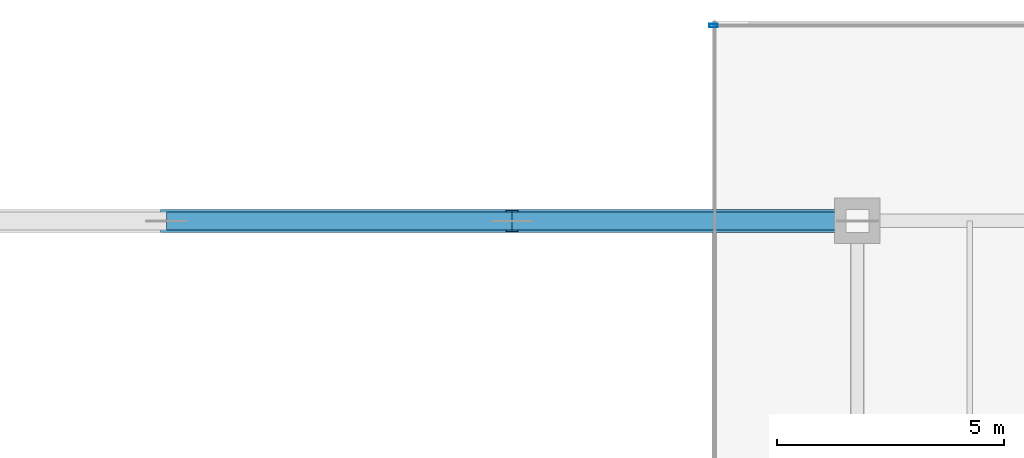
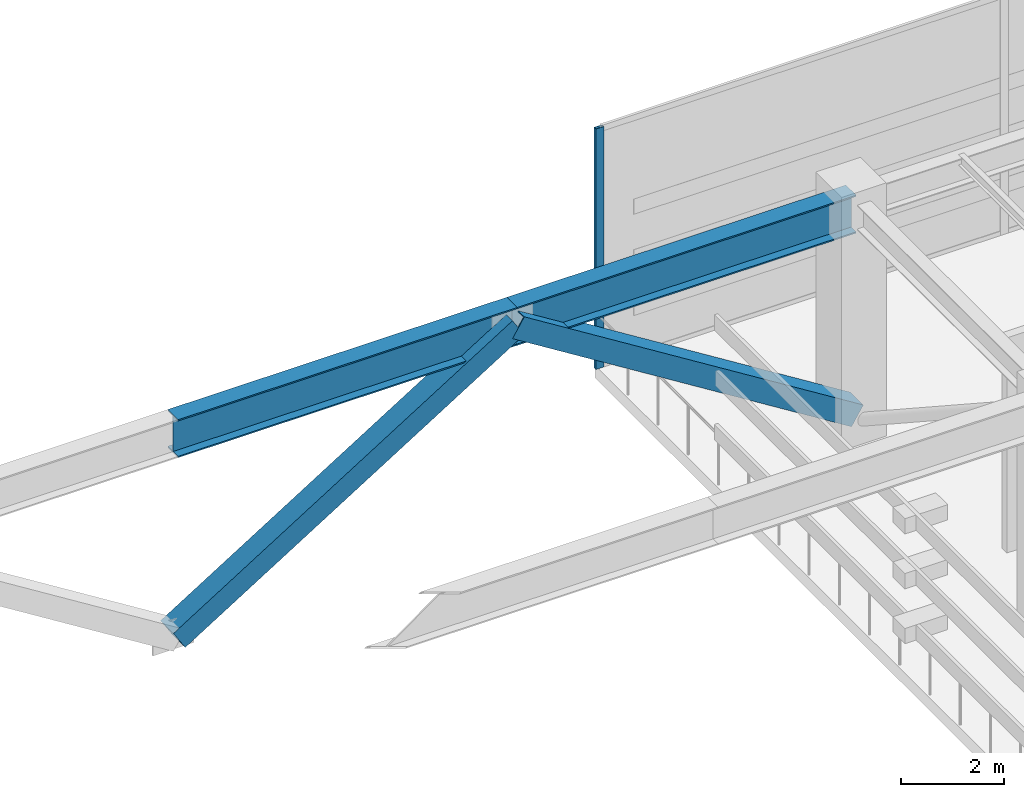
# One storey, part 16 of 30: 3 members, 2 beams, 1 element without a shape of its own.
"""IFC4 building model written with IfcOpenShell, lengths in metres."""

from ifc_helpers import new_model, si_unit, direction, frame, origin, origin_2d, place, context, subcontext, project, spatial, hollow_rectangle, i_section, extrude, source, transform, mapped, material, layer, layer_set, material_profile, profile_set, type_object, type_shapes, element, aggregate, save


model = new_model("IFC4")

# Units and contexts
model_context = context("Model", 3, precision=1e-05, world=origin(), true_north=direction((0.0, 1.0)))
body_context = subcontext(model_context, "Body", "Model", "MODEL_VIEW")
ifc_project = project(units=[si_unit("LENGTHUNIT", "METRE"), si_unit("AREAUNIT", "SQUARE_METRE"), si_unit("VOLUMEUNIT", "CUBIC_METRE"), si_unit("PLANEANGLEUNIT", "RADIAN"), si_unit("MASSUNIT", "GRAM", prefix="KILO")], contexts=[model_context])

# Site, building, storey
site_placement = place(None, origin())
site = spatial("IfcSite", under=ifc_project, at=site_placement, CompositionType="ELEMENT")
building_placement = place(site_placement, origin())
building = spatial("IfcBuilding", under=site, at=building_placement, Name="Haelvirn Gate Laboratories", CompositionType="ELEMENT")
storey_placement = place(building_placement, frame((0.0, 0.0, 291.60009765625)))
storey = spatial("IfcBuildingStorey", under=building, at=storey_placement, Name="L70", CompositionType="ELEMENT", Elevation=291.60009765625)

# Beams
ifc_material_1 = material(Name="Steel SM420", Category="steel")
ifc_material_profile_1 = material_profile(ifc_material_1, i_section(OverallWidth=0.39990234375, OverallDepth=0.89990234375, WebThickness=0.01904296875, FlangeThickness=0.031982421875, at=origin_2d()), Name="H-900x400x19x32")
ifc_profile_set_1 = profile_set([ifc_material_profile_1], Name="Steel SM420")
beam_type = type_object("IfcBeamType", Name="BM-TG-900", PredefinedType="BEAM", material=ifc_profile_set_1)
shared_shape_1 = source(origin(), body_context, "Body", "SweptSolid", [
    extrude(i_section(OverallWidth=0.39990234375, OverallDepth=0.89990234375, WebThickness=0.01904296875, FlangeThickness=0.031982421875, at=origin_2d()), origin(), (0.0, 0.0, 1.0), 7.60009765625),
])
type_shapes(beam_type, [shared_shape_1])
for number, where, z_axis, x_axis, name in (
    (1, (37.39990234375, 41.60009765625, 5.25), (1.0, 0.0, 0.0), (0.0, 1.0, 0.0), "L71 Arch Bridge Bottom Tie Chord Y41.6-3"),
    (2, (45.0, 41.60009765625, 5.25), (1.0, 0.0, 0.0), (0.0, 1.0, 0.0), "L71 Arch Bridge Bottom Tie Chord Y41.6-4"),
):
    element("IfcBeam", number, at=place(storey_placement, frame(where, z_axis=z_axis, x_axis=x_axis)), inside=storey, type_object=beam_type, Name=name, PredefinedType="BEAM", context=body_context, shape_type="MappedRepresentation", body=[
        mapped(shared_shape_1, transform((0.0, 0.0, 0.0), scale=1.0)),
    ])

# Members
ifc_material_profile_2 = material_profile(ifc_material_1, hollow_rectangle(XDim=0.5, YDim=0.5, WallThickness=0.02197265625, at=origin_2d()), Name="BOX-500x500x22")
ifc_profile_set_2 = profile_set([ifc_material_profile_2], Name="Steel SM420")
member_type_1 = type_object("IfcMemberType", Name="MEM-ARCH-WEB", PredefinedType="BRACE", material=ifc_profile_set_2)
shared_shape_2 = source(origin(), body_context, "Body", "SweptSolid", [
    extrude(hollow_rectangle(XDim=0.5, YDim=0.5, WallThickness=0.02197265625, at=origin_2d()), origin(), (0.0, 0.0, 1.0), 8.96240234375),
])
type_shapes(member_type_1, [shared_shape_2])
for number, where, z_axis, x_axis, name in (
    (3, (37.39990234375, 41.60009765625, 0.5), (0.848001364738, 0.0, 0.529994042799), (0.0, 1.0, 0.0), "L70 Arch Bridge Sub-Truss Web Y41.6-3"),
    (4, (45.0, 41.60009765625, 5.25), (0.848001364738, 0.0, -0.529994042799), (0.0, 1.0, 0.0), "L70 Arch Bridge Sub-Truss Web Y41.6-4"),
):
    element("IfcMember", number, at=place(storey_placement, frame(where, z_axis=z_axis, x_axis=x_axis)), inside=storey, type_object=member_type_1, Name=name, PredefinedType="BRACE", context=body_context, shape_type="MappedRepresentation", body=[
        mapped(shared_shape_2, transform((0.0, 0.0, 0.0), scale=1.0)),
    ])

# Curtain wall, member
ifc_material_2 = material(Name="Anodised bronze unitised aluminium & triple low-E glass", Category="aluminium")
ifc_layer = layer(ifc_material_2, 0.176025390625, Name="CW-SYS-4")
ifc_layer_set = layer_set([ifc_layer], Name="Anodised bronze unitised aluminium & triple low-E glass")
curtain_wall_type = type_object("IfcCurtainWallType", Name="CW-SYS-4", PredefinedType="NOTDEFINED", material=ifc_layer_set)
curtain_wall_placement = place(storey_placement, origin())
curtain_wall = element("IfcCurtainWall", 5, at=curtain_wall_placement, inside=storey, type_object=curtain_wall_type, Name="L70 Unitised Curtain Wall CW-L70-P1-E06-1", PredefinedType="NOTDEFINED")
ifc_material_3 = material(Name="Extruded aluminium 6063-T6 (anodised bronze)", Category="aluminium")
ifc_material_profile_3 = material_profile(ifc_material_3, hollow_rectangle(XDim=0.070068359375, YDim=0.179931640625, WallThickness=0.0048828125, at=origin_2d()), Name="CWM-180x70x5")
ifc_profile_set_3 = profile_set([ifc_material_profile_3], Name="Extruded aluminium 6063-T6 (anodised bronze)")
member_type_2 = type_object("IfcMemberType", Name="CWM-T180", PredefinedType="MULLION", material=ifc_profile_set_3)
shared_shape_3 = source(origin(), body_context, "Body", "SweptSolid", [
    extrude(hollow_rectangle(XDim=0.070068359375, YDim=0.179931640625, WallThickness=0.0048828125, at=origin_2d()), origin(), (0.0, 0.0, 1.0), 5.699951171875),
])
type_shapes(member_type_2, [shared_shape_3])
member_placement = place(storey_placement, frame((49.43505859375, 45.89990234375, 0.0), z_axis=(0.0, 0.0, 1.0), x_axis=(0.0, 1.0, 0.0)))
member = element("IfcMember", 6, at=member_placement, type_object=member_type_2, Name="CW4 mullion 1", PredefinedType="MULLION", context=body_context, shape_type="MappedRepresentation", body=[
    mapped(shared_shape_3, transform((0.0, 0.0, 0.0), scale=1.0)),
])
aggregate(curtain_wall, [member])

save(model, "model.ifc")
